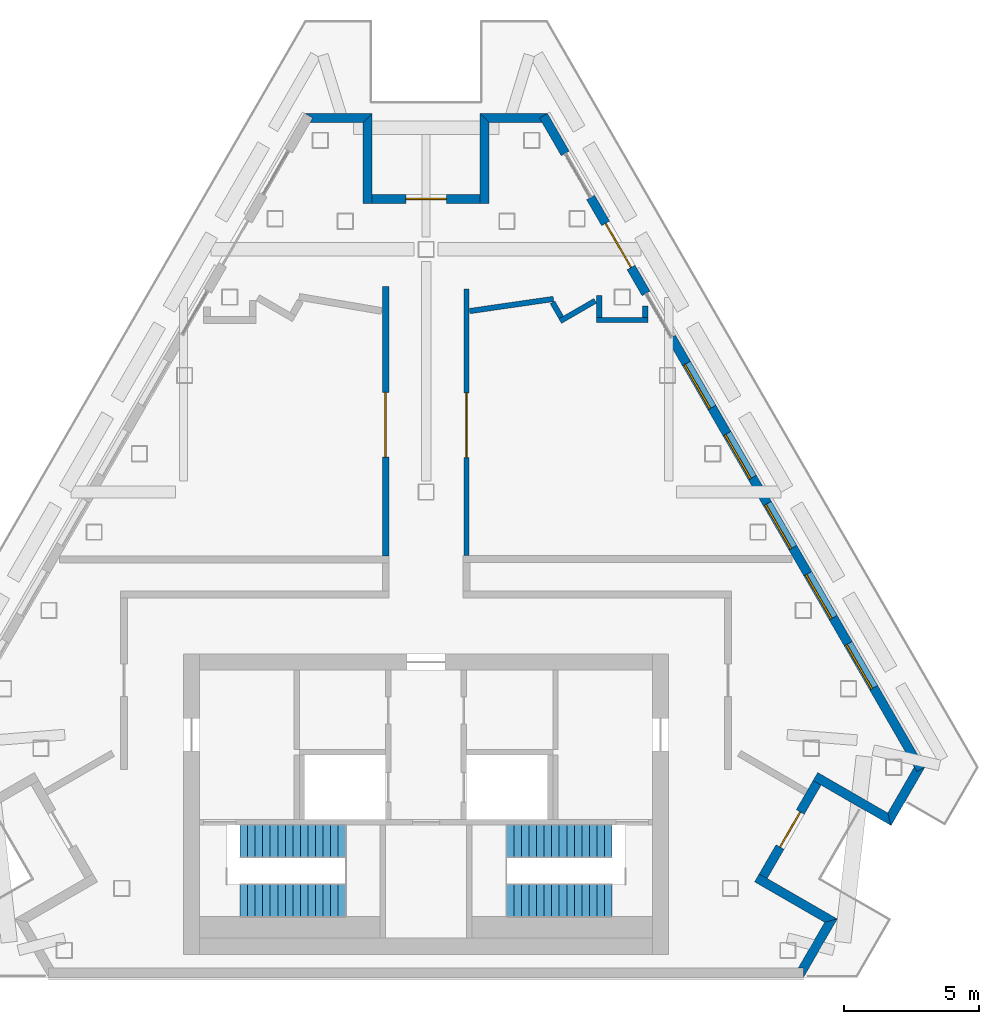
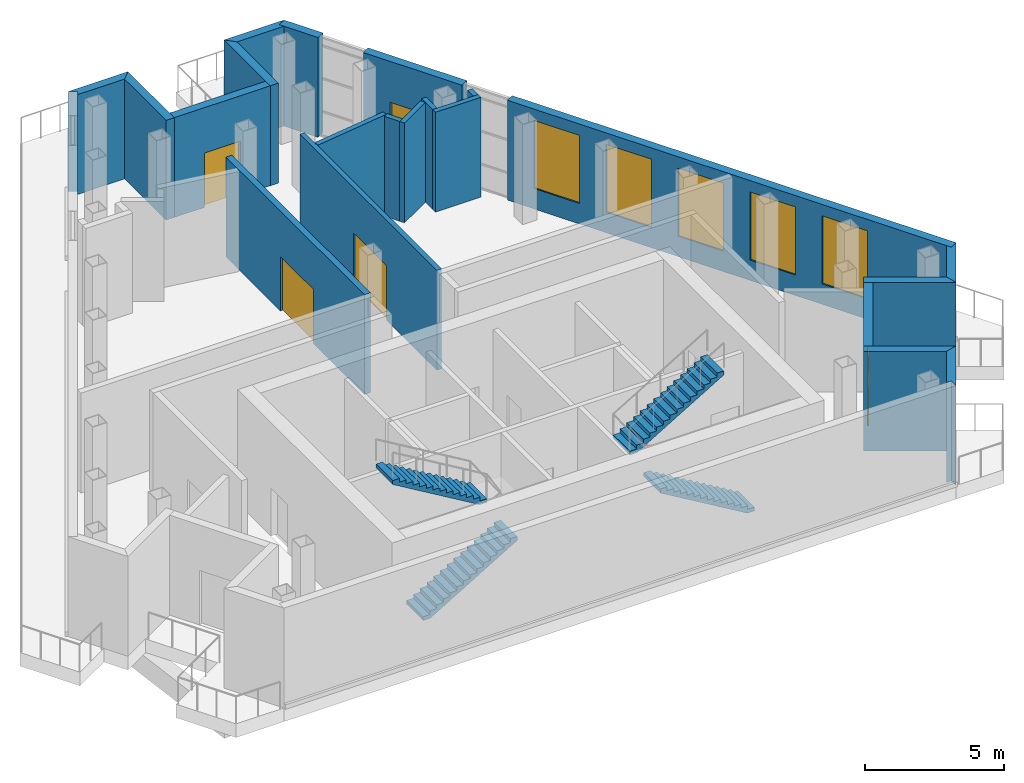
# One storey, part 5 of 7: 21 walls, 5 doors, 5 windows, 4 stair flights, 10 openings, 2 elements without a shape of their own.
"""IFC4 building model written with IfcOpenShell, lengths in metres."""

from ifc_helpers import new_model, si_unit, direction, frame, frame_2d, origin, place, context, subcontext, project, spatial, polyline, rectangle, outline, extrude, material, layer, layer_set, type_object, element, fill, aggregate, save


model = new_model("IFC4")

# Units and contexts
model_context = context("Model", 3, precision=1e-05, world=origin(), true_north=direction((0.0, 1.0)))
body_context = subcontext(model_context, "Body", "Model", "MODEL_VIEW")
ifc_project = project(units=[si_unit("LENGTHUNIT", "METRE"), si_unit("AREAUNIT", "SQUARE_METRE"), si_unit("VOLUMEUNIT", "CUBIC_METRE"), si_unit("PLANEANGLEUNIT", "RADIAN"), si_unit("MASSUNIT", "GRAM", prefix="KILO")], contexts=[model_context])

# Site, building, storey
site_placement = place(None, origin())
site = spatial("IfcSite", under=ifc_project, at=site_placement, CompositionType="ELEMENT")
building_placement = place(site_placement, origin())
building = spatial("IfcBuilding", under=site, at=building_placement, Name="Fogline Exchange Tower", CompositionType="ELEMENT")
storey_placement = place(building_placement, frame((0.0, 0.0, 350.10009765625)))
storey = spatial("IfcBuildingStorey", under=building, at=storey_placement, Name="L79", CompositionType="ELEMENT", Elevation=350.10009765625)

# Walls
ifc_material_1 = material(Name="Brick masonry", Category="masonry")
ifc_layer_1 = layer(ifc_material_1, 0.340087890625)
ifc_layer_set_1 = layer_set([ifc_layer_1], Name="FW1")
wall_type_1 = type_object("IfcWallType", Name="FW1", PredefinedType="SOLIDWALL", material=ifc_layer_set_1)
wall_1_placement = place(storey_placement, origin())
element("IfcWall", 1, at=wall_1_placement, inside=storey, type_object=wall_type_1, Name="Brick wall L79 SE-c1", PredefinedType="SOLIDWALL", context=body_context, shape_type="SweptSolid", body=[
    extrude(outline(polyline([(15.2509765625, 2.165771484375), (14.0, -0.001220703125), (13.99951171875, -0.0009765625), (13.99951171875, 0.33935546875), (13.802734375, 0.33935546875), (14.78515625, 2.041015625), (15.2509765625, 2.166015625), (15.2509765625, 2.165771484375)])), origin(), (0.0, 0.0, 1.0), 4.39990234375),
])
wall_2_placement = place(storey_placement, origin())
element("IfcWall", 2, at=wall_2_placement, inside=storey, type_object=wall_type_1, Name="Brick wall L79 SE-s1", PredefinedType="SOLIDWALL", context=body_context, shape_type="SweptSolid", body=[
    extrude(outline(polyline([(12.186767578125, 3.540283203125), (12.357177734375, 3.8359375), (12.652099609375, 3.66552734375), (15.251220703125, 2.1650390625), (15.251220703125, 2.164794921875), (14.785400390625, 2.0400390625), (12.186767578125, 3.540283203125)])), origin(), (0.0, 0.0, 1.0), 4.39990234375),
])

# Wall, opening, door
wall_3_placement = place(storey_placement, frame((12.504638671875, 3.75, 0.0), z_axis=(0.0, 0.0, 1.0), x_axis=(0.49999894854, 0.866026010844, 0.0)))
wall_3 = element("IfcWall", 3, at=wall_3_placement, inside=storey, type_object=wall_type_1, Name="Brick wall L79 SE-bk", PredefinedType="SOLIDWALL", context=body_context, shape_type="SweptSolid", body=[
    extrude(rectangle(XDim=4.0, YDim=0.340087890625, at=frame_2d((2.0, 0.0))), origin(), (0.0, 0.0, 1.0), 4.39990234375),
])
opening_1_placement = place(wall_3_placement, frame((1.25, 0.0, 0.0)))
opening_1 = element("IfcOpeningElement", 4, at=opening_1_placement, cuts=wall_3, Name="Opening L79-E081", PredefinedType="OPENING", context=body_context, shape_type="SweptSolid", body=[
    extrude(rectangle(XDim=1.5, YDim=2.39990234375, at=frame_2d((0.75, 1.199951171875))), frame((0.0, 0.18017578125, 0.0), z_axis=(0.0, -1.0, 0.0), x_axis=(1.0, 0.0, 0.0)), (0.0, 0.0, 1.0), 0.360107421875),
])
ifc_material_2 = material(Name="Aluminium and glass", Category="aluminium")
door_type_1 = type_object("IfcDoorType", Name="ED4", OperationType="SINGLE_SWING_LEFT", PredefinedType="DOOR", material=ifc_material_2)
door_1_placement = place(opening_1_placement, frame((1.5, 0.0, 0.0), z_axis=(0.0, 0.0, 1.0), x_axis=(-1.0, 0.0, 0.0)))
door_1 = element("IfcDoor", 5, at=door_1_placement, inside=storey, type_object=door_type_1, Name="Balcony door L79 SE", OperationType="DOUBLE_DOOR_SINGLE_SWING", OverallHeight=2.39990234375, OverallWidth=1.5, PredefinedType="DOOR", context=body_context, shape_type="SweptSolid", body=[
    extrude(rectangle(XDim=1.5, YDim=2.39990234375, at=frame_2d((0.75, 1.199951171875))), frame((0.0, 0.02490234375, 0.0), z_axis=(0.0, -1.0, 0.0), x_axis=(1.0, 0.0, 0.0)), (0.0, 0.0, 1.0), 0.050048828125),
])
fill(opening_1, door_1)

# Walls
wall_4_placement = place(storey_placement, origin())
element("IfcWall", 6, at=wall_4_placement, inside=storey, type_object=wall_type_1, Name="Brick wall L79 SE-s2", PredefinedType="SOLIDWALL", context=body_context, shape_type="SweptSolid", body=[
    extrude(outline(polyline([(17.25048828125, 5.628173828125), (14.651611328125, 7.128662109375), (14.356689453125, 7.298828125), (14.52734375, 7.594482421875), (17.1259765625, 6.093994140625), (17.250732421875, 5.62841796875), (17.25048828125, 5.628173828125)])), origin(), (0.0, 0.0, 1.0), 4.39990234375),
])
wall_5_placement = place(storey_placement, origin())
element("IfcWall", 7, at=wall_5_placement, inside=storey, type_object=wall_type_1, Name="Brick wall L79 SE-c2", PredefinedType="SOLIDWALL", context=body_context, shape_type="SweptSolid", body=[
    extrude(outline(polyline([(18.107421875, 7.79541015625), (18.205810546875, 7.625), (18.500732421875, 7.79541015625), (18.5009765625, 7.794921875), (17.25, 5.6279296875), (17.249755859375, 5.6279296875), (17.125, 6.09375), (18.107421875, 7.79541015625)])), origin(), (0.0, 0.0, 1.0), 4.39990234375),
])

# Wall, openings, windows
wall_6_placement = place(storey_placement, frame((18.352783203125, 7.709228515625, 0.0), z_axis=(0.0, 0.0, 1.0), x_axis=(-0.499999662836, 0.866025598446, 0.0)))
wall_6 = element("IfcWall", 8, at=wall_6_placement, inside=storey, type_object=wall_type_1, Name="Brick wall L79 E bay 1", PredefinedType="SOLIDWALL", context=body_context, shape_type="SweptSolid", body=[
    extrude(rectangle(XDim=18.5, YDim=0.340087890625, at=frame_2d((9.25, 0.0))), origin(), (0.0, 0.0, 1.0), 4.39990234375),
])
opening_2_placement = place(wall_6_placement, frame((3.5, 0.0, 0.89990234375)))
opening_2 = element("IfcOpeningElement", 9, at=opening_2_placement, cuts=wall_6, Name="Opening W6", PredefinedType="OPENING", context=body_context, shape_type="SweptSolid", body=[
    extrude(rectangle(XDim=1.885009765625, YDim=3.0, at=frame_2d((0.9423828125, 1.5))), frame((0.0, 0.18017578125, 0.0), z_axis=(0.0, -1.0, 0.0), x_axis=(1.0, 0.0, 0.0)), (0.0, 0.0, 1.0), 0.360107421875),
])
opening_3_placement = place(wall_6_placement, frame((6.5, 0.0, 0.89990234375)))
opening_3 = element("IfcOpeningElement", 10, at=opening_3_placement, cuts=wall_6, Name="Opening W6", PredefinedType="OPENING", context=body_context, shape_type="SweptSolid", body=[
    extrude(rectangle(XDim=1.885009765625, YDim=3.0, at=frame_2d((0.9423828125, 1.5))), frame((0.0, 0.18017578125, 0.0), z_axis=(0.0, -1.0, 0.0), x_axis=(1.0, 0.0, 0.0)), (0.0, 0.0, 1.0), 0.360107421875),
])
opening_4_placement = place(wall_6_placement, frame((9.5, 0.0, 0.89990234375)))
opening_4 = element("IfcOpeningElement", 11, at=opening_4_placement, cuts=wall_6, Name="Opening W6", PredefinedType="OPENING", context=body_context, shape_type="SweptSolid", body=[
    extrude(rectangle(XDim=1.885009765625, YDim=3.0, at=frame_2d((0.9423828125, 1.5))), frame((0.0, 0.18017578125, 0.0), z_axis=(0.0, -1.0, 0.0), x_axis=(1.0, 0.0, 0.0)), (0.0, 0.0, 1.0), 0.360107421875),
])
opening_5_placement = place(wall_6_placement, frame((12.5, 0.0, 0.89990234375)))
opening_5 = element("IfcOpeningElement", 12, at=opening_5_placement, cuts=wall_6, Name="Opening W6", PredefinedType="OPENING", context=body_context, shape_type="SweptSolid", body=[
    extrude(rectangle(XDim=1.885009765625, YDim=3.0, at=frame_2d((0.9423828125, 1.5))), frame((0.0, 0.18017578125, 0.0), z_axis=(0.0, -1.0, 0.0), x_axis=(1.0, 0.0, 0.0)), (0.0, 0.0, 1.0), 0.360107421875),
])
opening_6_placement = place(wall_6_placement, frame((15.5, 0.0, 0.89990234375)))
opening_6 = element("IfcOpeningElement", 13, at=opening_6_placement, cuts=wall_6, Name="Opening W6", PredefinedType="OPENING", context=body_context, shape_type="SweptSolid", body=[
    extrude(rectangle(XDim=1.885009765625, YDim=3.0, at=frame_2d((0.9423828125, 1.5))), frame((0.0, 0.18017578125, 0.0), z_axis=(0.0, -1.0, 0.0), x_axis=(1.0, 0.0, 0.0)), (0.0, 0.0, 1.0), 0.360107421875),
])
ifc_material_3 = material(Name="Aluminium louvre", Category="aluminium")
window_type = type_object("IfcWindowType", Name="W6", PartitioningType="SINGLE_PANEL", PredefinedType="WINDOW", material=ifc_material_3)
window_1_placement = place(opening_2_placement, origin())
window_1 = element("IfcWindow", 14, at=window_1_placement, inside=storey, type_object=window_type, Name="W6 W6", OverallHeight=3.0, OverallWidth=1.885009765625, PartitioningType="SINGLE_PANEL", PredefinedType="WINDOW", context=body_context, shape_type="SweptSolid", body=[
    extrude(rectangle(XDim=1.885009765625, YDim=3.0, at=frame_2d((0.9423828125, 1.5))), frame((0.0, 0.110107421875, 0.0), z_axis=(0.0, -1.0, 0.0), x_axis=(1.0, 0.0, 0.0)), (0.0, 0.0, 1.0), 0.06005859375),
])
fill(opening_2, window_1)
window_2_placement = place(opening_3_placement, origin())
window_2 = element("IfcWindow", 15, at=window_2_placement, inside=storey, type_object=window_type, Name="W6 W6", OverallHeight=3.0, OverallWidth=1.885009765625, PartitioningType="SINGLE_PANEL", PredefinedType="WINDOW", context=body_context, shape_type="SweptSolid", body=[
    extrude(rectangle(XDim=1.885009765625, YDim=3.0, at=frame_2d((0.9423828125, 1.5))), frame((0.0, 0.110107421875, 0.0), z_axis=(0.0, -1.0, 0.0), x_axis=(1.0, 0.0, 0.0)), (0.0, 0.0, 1.0), 0.06005859375),
])
fill(opening_3, window_2)
window_3_placement = place(opening_4_placement, origin())
window_3 = element("IfcWindow", 16, at=window_3_placement, inside=storey, type_object=window_type, Name="W6 W6", OverallHeight=3.0, OverallWidth=1.885009765625, PartitioningType="SINGLE_PANEL", PredefinedType="WINDOW", context=body_context, shape_type="SweptSolid", body=[
    extrude(rectangle(XDim=1.885009765625, YDim=3.0, at=frame_2d((0.9423828125, 1.5))), frame((0.0, 0.110107421875, 0.0), z_axis=(0.0, -1.0, 0.0), x_axis=(1.0, 0.0, 0.0)), (0.0, 0.0, 1.0), 0.06005859375),
])
fill(opening_4, window_3)
window_4_placement = place(opening_5_placement, origin())
window_4 = element("IfcWindow", 17, at=window_4_placement, inside=storey, type_object=window_type, Name="W6 W6", OverallHeight=3.0, OverallWidth=1.885009765625, PartitioningType="SINGLE_PANEL", PredefinedType="WINDOW", context=body_context, shape_type="SweptSolid", body=[
    extrude(rectangle(XDim=1.885009765625, YDim=3.0, at=frame_2d((0.9423828125, 1.5))), frame((0.0, 0.110107421875, 0.0), z_axis=(0.0, -1.0, 0.0), x_axis=(1.0, 0.0, 0.0)), (0.0, 0.0, 1.0), 0.06005859375),
])
fill(opening_5, window_4)
window_5_placement = place(opening_6_placement, origin())
window_5 = element("IfcWindow", 18, at=window_5_placement, inside=storey, type_object=window_type, Name="W6 W6", OverallHeight=3.0, OverallWidth=1.885009765625, PartitioningType="SINGLE_PANEL", PredefinedType="WINDOW", context=body_context, shape_type="SweptSolid", body=[
    extrude(rectangle(XDim=1.885009765625, YDim=3.0, at=frame_2d((0.9423828125, 1.5))), frame((0.0, 0.110107421875, 0.0), z_axis=(0.0, -1.0, 0.0), x_axis=(1.0, 0.0, 0.0)), (0.0, 0.0, 1.0), 0.06005859375),
])
fill(opening_6, window_5)

# Wall, opening, door
wall_7_placement = place(storey_placement, frame((8.160400390625, 25.36328125, 0.0), z_axis=(0.0, 0.0, 1.0), x_axis=(-0.500044296292, 0.865999827798, 0.0)))
wall_7 = element("IfcWall", 19, at=wall_7_placement, inside=storey, type_object=wall_type_1, Name="Brick wall L79 E bay 2", PredefinedType="SOLIDWALL", context=body_context, shape_type="SweptSolid", body=[
    extrude(rectangle(XDim=4.114990234375, YDim=0.340087890625, at=frame_2d((2.0576171875, 0.0))), origin(), (0.0, 0.0, 1.0), 4.39990234375),
])
opening_7_placement = place(wall_7_placement, frame((1.114990234375, 0.0, 0.0)))
opening_7 = element("IfcOpeningElement", 20, at=opening_7_placement, cuts=wall_7, Name="Opening L79-E111", PredefinedType="OPENING", context=body_context, shape_type="SweptSolid", body=[
    extrude(rectangle(XDim=1.885009765625, YDim=2.60009765625, at=frame_2d((0.9423828125, 1.300048828125))), frame((0.0, 0.18017578125, 0.0), z_axis=(0.0, -1.0, 0.0), x_axis=(1.0, 0.0, 0.0)), (0.0, 0.0, 1.0), 0.360107421875),
])
door_type_2 = type_object("IfcDoorType", Name="ED5", OperationType="SINGLE_SWING_LEFT", PredefinedType="DOOR", material=ifc_material_2)
door_2_placement = place(opening_7_placement, frame((1.885009765625, 0.0, 0.0), z_axis=(0.0, 0.0, 1.0), x_axis=(-1.0, 0.0, 0.0)))
door_2 = element("IfcDoor", 21, at=door_2_placement, inside=storey, type_object=door_type_2, Name="Terrace door L79 E", OperationType="DOUBLE_DOOR_SINGLE_SWING", OverallHeight=2.60009765625, OverallWidth=1.885009765625, PredefinedType="DOOR", context=body_context, shape_type="SweptSolid", body=[
    extrude(rectangle(XDim=1.885009765625, YDim=2.60009765625, at=frame_2d((0.9423828125, 1.300048828125))), frame((0.0, 0.02490234375, 0.0), z_axis=(0.0, -1.0, 0.0), x_axis=(1.0, 0.0, 0.0)), (0.0, 0.0, 1.0), 0.050048828125),
])
fill(opening_7, door_2)

# Walls
wall_8_placement = place(storey_placement, frame((5.160400390625, 30.559326171875, 0.0), z_axis=(0.0, 0.0, 1.0), x_axis=(-0.500040847832, 0.866001818993, 0.0)))
element("IfcWall", 22, at=wall_8_placement, inside=storey, type_object=wall_type_1, Name="Brick wall L79 E bay 3", PredefinedType="SOLIDWALL", context=body_context, shape_type="SweptSolid", body=[
    extrude(rectangle(XDim=1.614990234375, YDim=0.340087890625, at=frame_2d((0.8076171875, 0.0))), origin(), (0.0, 0.0, 1.0), 4.39990234375),
])
wall_9_placement = place(storey_placement, origin())
element("IfcWall", 23, at=wall_9_placement, inside=storey, type_object=wall_type_1, Name="Brick wall L79 N-c1", PredefinedType="SOLIDWALL", context=body_context, shape_type="SweptSolid", body=[
    extrude(outline(polyline([(1.9990234375, 32.04345703125), (4.5009765625, 32.04345703125), (4.501220703125, 32.04296875), (4.206298828125, 31.872802734375), (4.3046875, 31.702392578125), (2.33984375, 31.702392578125), (1.998779296875, 32.043212890625), (1.9990234375, 32.04345703125)])), origin(), (0.0, 0.0, 1.0), 4.39990234375),
])
wall_10_placement = place(storey_placement, origin())
element("IfcWall", 24, at=wall_10_placement, inside=storey, type_object=wall_type_1, Name="Brick wall L79 N-s1", PredefinedType="SOLIDWALL", context=body_context, shape_type="SweptSolid", body=[
    extrude(outline(polyline([(2.340576171875, 28.702392578125), (1.99951171875, 28.702392578125), (1.99951171875, 32.0439453125), (1.999755859375, 32.044189453125), (2.340576171875, 31.703125), (2.340576171875, 28.702392578125)])), origin(), (0.0, 0.0, 1.0), 4.39990234375),
])

# Wall, opening, door
wall_11_placement = place(storey_placement, frame((2.0, 28.873046875, 0.0), z_axis=(0.0, 0.0, 1.0), x_axis=(-1.0, 0.0, 0.0)))
wall_11 = element("IfcWall", 25, at=wall_11_placement, inside=storey, type_object=wall_type_1, Name="Brick wall L79 N-bk", PredefinedType="SOLIDWALL", context=body_context, shape_type="SweptSolid", body=[
    extrude(rectangle(XDim=4.0, YDim=0.340087890625, at=frame_2d((2.0, 0.0))), origin(), (0.0, 0.0, 1.0), 4.39990234375),
])
opening_8_placement = place(wall_11_placement, frame((1.25, 0.0, 0.0)))
opening_8 = element("IfcOpeningElement", 26, at=opening_8_placement, cuts=wall_11, Name="Opening L79-E141", PredefinedType="OPENING", context=body_context, shape_type="SweptSolid", body=[
    extrude(rectangle(XDim=1.5, YDim=2.39990234375, at=frame_2d((0.75, 1.199951171875))), frame((0.0, 0.18017578125, 0.0), z_axis=(0.0, -1.0, 0.0), x_axis=(1.0, 0.0, 0.0)), (0.0, 0.0, 1.0), 0.360107421875),
])
door_3_placement = place(opening_8_placement, frame((1.5, 0.0, 0.0), z_axis=(0.0, 0.0, 1.0), x_axis=(-1.0, 0.0, 0.0)))
door_3 = element("IfcDoor", 27, at=door_3_placement, inside=storey, type_object=door_type_1, Name="Balcony door L79 N", OperationType="DOUBLE_DOOR_SINGLE_SWING", OverallHeight=2.39990234375, OverallWidth=1.5, PredefinedType="DOOR", context=body_context, shape_type="SweptSolid", body=[
    extrude(rectangle(XDim=1.5, YDim=2.39990234375, at=frame_2d((0.75, 1.199951171875))), frame((0.0, 0.02490234375, 0.0), z_axis=(0.0, -1.0, 0.0), x_axis=(1.0, 0.0, 0.0)), (0.0, 0.0, 1.0), 0.050048828125),
])
fill(opening_8, door_3)

# Walls
wall_12_placement = place(storey_placement, origin())
element("IfcWall", 28, at=wall_12_placement, inside=storey, type_object=wall_type_1, Name="Brick wall L79 N-s2", PredefinedType="SOLIDWALL", context=body_context, shape_type="SweptSolid", body=[
    extrude(outline(polyline([(-1.99951171875, 32.0439453125), (-1.99951171875, 28.702392578125), (-2.340576171875, 28.702392578125), (-2.340576171875, 31.703125), (-1.999755859375, 32.044189453125), (-1.99951171875, 32.0439453125)])), origin(), (0.0, 0.0, 1.0), 4.39990234375),
])
wall_13_placement = place(storey_placement, origin())
element("IfcWall", 29, at=wall_13_placement, inside=storey, type_object=wall_type_1, Name="Brick wall L79 N-c2", PredefinedType="SOLIDWALL", context=body_context, shape_type="SweptSolid", body=[
    extrude(outline(polyline([(-4.3046875, 31.702392578125), (-4.206298828125, 31.872802734375), (-4.501220703125, 32.04296875), (-4.5009765625, 32.04345703125), (-1.9990234375, 32.04345703125), (-1.998779296875, 32.043212890625), (-2.33984375, 31.702392578125), (-4.3046875, 31.702392578125)])), origin(), (0.0, 0.0, 1.0), 4.39990234375),
])

# Wall, opening, door
ifc_material_4 = material(Name="Concrete block masonry", Category="masonry")
ifc_layer_2 = layer(ifc_material_4, 0.199951171875)
ifc_layer_set_2 = layer_set([ifc_layer_2], Name="PP2")
wall_type_2 = type_object("IfcWallType", Name="PP2", PredefinedType="PARTITIONING", material=ifc_layer_set_2)
wall_14_placement = place(storey_placement, frame((1.5, 25.53564453125, 0.0), z_axis=(0.0, 0.0, 1.0), x_axis=(0.0, -1.0, 0.0)))
wall_14 = element("IfcWall", 30, at=wall_14_placement, inside=storey, type_object=wall_type_2, Name="PP2 partition", PredefinedType="PARTITIONING", context=body_context, shape_type="SweptSolid", body=[
    extrude(rectangle(XDim=9.89453125, YDim=0.199951171875, at=frame_2d((4.947265625, 0.0))), origin(), (0.0, 0.0, 1.0), 4.39990234375),
])
opening_9_placement = place(wall_14_placement, frame((3.85986328125, 0.0, 0.0)))
opening_9 = element("IfcOpeningElement", 31, at=opening_9_placement, cuts=wall_14, Name="Opening L79-D004", PredefinedType="OPENING", context=body_context, shape_type="SweptSolid", body=[
    extrude(rectangle(XDim=2.39990234375, YDim=2.39990234375, at=frame_2d((1.199951171875, 1.199951171875))), frame((0.0, 0.10986328125, 0.0), z_axis=(0.0, -1.0, 0.0), x_axis=(1.0, 0.0, 0.0)), (0.0, 0.0, 1.0), 0.219970703125),
])
ifc_material_5 = material(Name="Steel Q235B", Category="steel")
door_type_3 = type_object("IfcDoorType", Name="PD9", OperationType="DOUBLE_DOOR_SINGLE_SWING", PredefinedType="DOOR", material=ifc_material_5)
door_4_placement = place(opening_9_placement, origin())
door_4 = element("IfcDoor", 32, at=door_4_placement, inside=storey, type_object=door_type_3, Name="L79-D004", OperationType="DOUBLE_DOOR_SINGLE_SWING", OverallHeight=2.39990234375, OverallWidth=2.39990234375, PredefinedType="DOOR", context=body_context, shape_type="SweptSolid", body=[
    extrude(rectangle(XDim=2.39990234375, YDim=2.39990234375, at=frame_2d((1.199951171875, 1.199951171875))), frame((0.0, 0.02490234375, 0.0), z_axis=(0.0, -1.0, 0.0), x_axis=(1.0, 0.0, 0.0)), (0.0, 0.0, 1.0), 0.050048828125),
])
fill(opening_9, door_4)

# Walls
wall_15_placement = place(storey_placement, frame((4.72412109375, 25.160400390625, 0.0), z_axis=(0.0, 0.0, 1.0), x_axis=(-0.989677370755, -0.143313299509, 0.0)))
element("IfcWall", 33, at=wall_15_placement, inside=storey, type_object=wall_type_2, Name="PP2 partition", PredefinedType="PARTITIONING", context=body_context, shape_type="SweptSolid", body=[
    extrude(rectangle(XDim=3.14306640625, YDim=0.199951171875, at=frame_2d((1.571533203125, 0.0))), origin(), (0.0, 0.0, 1.0), 4.39990234375),
])
wall_16_placement = place(storey_placement, frame((8.228271484375, 24.380859375, 0.0), z_axis=(0.0, 0.0, 1.0), x_axis=(-1.0, 0.0, 0.0)))
element("IfcWall", 34, at=wall_16_placement, inside=storey, type_object=wall_type_2, Name="PP2 partition", PredefinedType="PARTITIONING", context=body_context, shape_type="SweptSolid", body=[
    extrude(rectangle(XDim=1.89990234375, YDim=0.199951171875, at=frame_2d((0.949951171875, 0.0))), origin(), (0.0, 0.0, 1.0), 4.39990234375),
])
wall_17_placement = place(storey_placement, frame((6.27587890625, 25.09228515625, 0.0), z_axis=(0.0, 0.0, 1.0), x_axis=(-0.865974529972, -0.500088105676, 0.0)))
element("IfcWall", 35, at=wall_17_placement, inside=storey, type_object=wall_type_2, Name="PP2 partition", PredefinedType="PARTITIONING", context=body_context, shape_type="SweptSolid", body=[
    extrude(rectangle(XDim=1.502685546875, YDim=0.199951171875, at=frame_2d((0.75146484375, 0.0))), origin(), (0.0, 0.0, 1.0), 4.39990234375),
])
wall_18_placement = place(storey_placement, frame((6.42822265625, 24.480712890625, 0.0), z_axis=(0.0, 0.0, 1.0), x_axis=(0.0, 1.0, 0.0)))
element("IfcWall", 36, at=wall_18_placement, inside=storey, type_object=wall_type_2, Name="PP2 partition", PredefinedType="PARTITIONING", context=body_context, shape_type="SweptSolid", body=[
    extrude(rectangle(XDim=0.799560546875, YDim=0.199951171875, at=frame_2d((0.39990234375, 0.0))), origin(), (0.0, 0.0, 1.0), 4.39990234375),
])
wall_19_placement = place(storey_placement, frame((5.011474609375, 24.47705078125, 0.0), z_axis=(0.0, 0.0, 1.0), x_axis=(-0.50006233641, 0.86598941085, 0.0)))
element("IfcWall", 37, at=wall_19_placement, inside=storey, type_object=wall_type_2, Name="PP2 partition", PredefinedType="PARTITIONING", context=body_context, shape_type="SweptSolid", body=[
    extrude(rectangle(XDim=0.642578125, YDim=0.199951171875, at=frame_2d((0.3212890625, 0.0))), origin(), (0.0, 0.0, 1.0), 4.39990234375),
])
wall_20_placement = place(storey_placement, frame((8.12841796875, 24.9052734375, 0.0), z_axis=(0.0, 0.0, 1.0), x_axis=(0.0, -1.0, 0.0)))
element("IfcWall", 38, at=wall_20_placement, inside=storey, type_object=wall_type_2, Name="PP2 partition", PredefinedType="PARTITIONING", context=body_context, shape_type="SweptSolid", body=[
    extrude(rectangle(XDim=0.42431640625, YDim=0.199951171875, at=frame_2d((0.212158203125, 0.0))), origin(), (0.0, 0.0, 1.0), 4.39990234375),
])

# Wall, opening, door
ifc_material_6 = material(Name="Concrete C40", Category="concrete")
ifc_layer_3 = layer(ifc_material_6, 0.25)
ifc_layer_set_3 = layer_set([ifc_layer_3], Name="PP3")
wall_type_3 = type_object("IfcWallType", Name="PP3", PredefinedType="SOLIDWALL", material=ifc_layer_set_3)
wall_21_placement = place(storey_placement, frame((-1.5, 15.6220703125, 0.0), z_axis=(0.0, 0.0, 1.0), x_axis=(0.0, 1.0, 0.0)))
wall_21 = element("IfcWall", 39, at=wall_21_placement, inside=storey, type_object=wall_type_3, Name="PP3 partition", PredefinedType="SOLIDWALL", context=body_context, shape_type="SweptSolid", body=[
    extrude(rectangle(XDim=10.001220703125, YDim=0.25, at=frame_2d((5.00048828125, 0.0))), origin(), (0.0, 0.0, 1.0), 4.39990234375),
])
opening_10_placement = place(wall_21_placement, frame((3.67578125, 0.0, 0.0)))
opening_10 = element("IfcOpeningElement", 40, at=opening_10_placement, cuts=wall_21, Name="Opening L79-D002", PredefinedType="OPENING", context=body_context, shape_type="SweptSolid", body=[
    extrude(rectangle(XDim=2.39990234375, YDim=2.39990234375, at=frame_2d((1.199951171875, 1.199951171875))), frame((0.0, 0.135009765625, 0.0), z_axis=(0.0, -1.0, 0.0), x_axis=(1.0, 0.0, 0.0)), (0.0, 0.0, 1.0), 0.27001953125),
])
door_5_placement = place(opening_10_placement, origin())
door_5 = element("IfcDoor", 41, at=door_5_placement, inside=storey, type_object=door_type_3, Name="L79-D002", OperationType="DOUBLE_DOOR_SINGLE_SWING", OverallHeight=2.39990234375, OverallWidth=2.39990234375, PredefinedType="DOOR", context=body_context, shape_type="SweptSolid", body=[
    extrude(rectangle(XDim=2.39990234375, YDim=2.39990234375, at=frame_2d((1.199951171875, 1.199951171875))), frame((0.0, 0.02490234375, 0.0), z_axis=(0.0, -1.0, 0.0), x_axis=(1.0, 0.0, 0.0)), (0.0, 0.0, 1.0), 0.050048828125),
])
fill(opening_10, door_5)

# Stair, stair flights
stair_type = type_object("IfcStairType", Name="STR30-1667W1200", PredefinedType="HALF_TURN_STAIR", material=ifc_material_6)
stair_1_placement = place(storey_placement, origin())
stair_1 = element("IfcStair", 42, at=stair_1_placement, inside=storey, type_object=stair_type, Name="Stair CS1", PredefinedType="HALF_TURN_STAIR")
stair_flight_type = type_object("IfcStairFlightType", Name="SF15-1667W1200", PredefinedType="STRAIGHT", material=ifc_material_6)
stair_flight_1_placement = place(storey_placement, frame((-6.89990234375, 2.85009765625, 0.0), z_axis=(0.0, 0.0, 1.0), x_axis=(1.0, 0.0, 0.0)))
stair_flight_1 = element("IfcStairFlight", 43, at=stair_flight_1_placement, type_object=stair_flight_type, Name="CS1 flight 1", NumberOfRisers=15, NumberOfTreads=14, PredefinedType="STRAIGHT", RiserHeight=0.166666667, TreadLength=0.28, context=body_context, shape_type="SweptSolid", body=[
    extrude(outline(polyline([(0.0, 0.0), (0.0, 0.166748046875), (0.280029296875, 0.166748046875), (0.280029296875, 0.333251953125), (0.56005859375, 0.333251953125), (0.56005859375, 0.5), (0.840087890625, 0.5), (0.840087890625, 0.666748046875), (1.1201171875, 0.666748046875), (1.1201171875, 0.833251953125), (1.39990234375, 0.833251953125), (1.39990234375, 1.0), (1.679931640625, 1.0), (1.679931640625, 1.166748046875), (1.9599609375, 1.166748046875), (1.9599609375, 1.333251953125), (2.239990234375, 1.333251953125), (2.239990234375, 1.5), (2.52001953125, 1.5), (2.52001953125, 1.666748046875), (2.800048828125, 1.666748046875), (2.800048828125, 1.833251953125), (3.080078125, 1.833251953125), (3.080078125, 2.0), (3.360107421875, 2.0), (3.360107421875, 2.166748046875), (3.639892578125, 2.166748046875), (3.639892578125, 2.333251953125), (3.919921875, 2.333251953125), (3.919921875, 2.5), (3.919921875, 2.158935546875), (0.29296875, 0.0), (0.0, 0.0)])), frame((0.0, 0.60009765625, 0.0), z_axis=(0.0, -1.0, 0.0), x_axis=(1.0, 0.0, 0.0)), (0.0, 0.0, 1.0), 1.199951171875),
])
stair_flight_2_placement = place(storey_placement, frame((-2.97998046875, 5.050048828125, 2.5), z_axis=(0.0, 0.0, 1.0), x_axis=(-1.0, 0.0, 0.0)))
stair_flight_2 = element("IfcStairFlight", 44, at=stair_flight_2_placement, type_object=stair_flight_type, Name="CS1 flight 2", NumberOfRisers=15, NumberOfTreads=14, PredefinedType="STRAIGHT", RiserHeight=0.166666667, TreadLength=0.28, context=body_context, shape_type="SweptSolid", body=[
    extrude(outline(polyline([(0.0, 0.0), (0.0, 0.166748046875), (0.280029296875, 0.166748046875), (0.280029296875, 0.333251953125), (0.56005859375, 0.333251953125), (0.56005859375, 0.5), (0.840087890625, 0.5), (0.840087890625, 0.666748046875), (1.1201171875, 0.666748046875), (1.1201171875, 0.833251953125), (1.39990234375, 0.833251953125), (1.39990234375, 1.0), (1.679931640625, 1.0), (1.679931640625, 1.166748046875), (1.9599609375, 1.166748046875), (1.9599609375, 1.333251953125), (2.239990234375, 1.333251953125), (2.239990234375, 1.5), (2.52001953125, 1.5), (2.52001953125, 1.666748046875), (2.800048828125, 1.666748046875), (2.800048828125, 1.833251953125), (3.080078125, 1.833251953125), (3.080078125, 2.0), (3.360107421875, 2.0), (3.360107421875, 2.166748046875), (3.639892578125, 2.166748046875), (3.639892578125, 2.333251953125), (3.919921875, 2.333251953125), (3.919921875, 2.5), (3.919921875, 2.158935546875), (0.29296875, 0.0), (0.0, 0.0)])), frame((0.0, 0.60009765625, 0.0), z_axis=(0.0, -1.0, 0.0), x_axis=(1.0, 0.0, 0.0)), (0.0, 0.0, 1.0), 1.199951171875),
])
aggregate(stair_1, [stair_flight_1, stair_flight_2])

stair_2_placement = place(storey_placement, origin())
stair_2 = element("IfcStair", 45, at=stair_2_placement, inside=storey, type_object=stair_type, Name="Stair CS2", PredefinedType="HALF_TURN_STAIR")
stair_flight_3_placement = place(storey_placement, frame((6.89990234375, 2.85009765625, 0.0), z_axis=(0.0, 0.0, 1.0), x_axis=(-1.0, 0.0, 0.0)))
stair_flight_3 = element("IfcStairFlight", 46, at=stair_flight_3_placement, type_object=stair_flight_type, Name="CS2 flight 1", NumberOfRisers=15, NumberOfTreads=14, PredefinedType="STRAIGHT", RiserHeight=0.166666667, TreadLength=0.28, context=body_context, shape_type="SweptSolid", body=[
    extrude(outline(polyline([(0.0, 0.0), (0.0, 0.166748046875), (0.280029296875, 0.166748046875), (0.280029296875, 0.333251953125), (0.56005859375, 0.333251953125), (0.56005859375, 0.5), (0.840087890625, 0.5), (0.840087890625, 0.666748046875), (1.1201171875, 0.666748046875), (1.1201171875, 0.833251953125), (1.39990234375, 0.833251953125), (1.39990234375, 1.0), (1.679931640625, 1.0), (1.679931640625, 1.166748046875), (1.9599609375, 1.166748046875), (1.9599609375, 1.333251953125), (2.239990234375, 1.333251953125), (2.239990234375, 1.5), (2.52001953125, 1.5), (2.52001953125, 1.666748046875), (2.800048828125, 1.666748046875), (2.800048828125, 1.833251953125), (3.080078125, 1.833251953125), (3.080078125, 2.0), (3.360107421875, 2.0), (3.360107421875, 2.166748046875), (3.639892578125, 2.166748046875), (3.639892578125, 2.333251953125), (3.919921875, 2.333251953125), (3.919921875, 2.5), (3.919921875, 2.158935546875), (0.29296875, 0.0), (0.0, 0.0)])), frame((0.0, 0.60009765625, 0.0), z_axis=(0.0, -1.0, 0.0), x_axis=(1.0, 0.0, 0.0)), (0.0, 0.0, 1.0), 1.199951171875),
])
stair_flight_4_placement = place(storey_placement, frame((2.97998046875, 5.050048828125, 2.5), z_axis=(0.0, 0.0, 1.0), x_axis=(1.0, 0.0, 0.0)))
stair_flight_4 = element("IfcStairFlight", 47, at=stair_flight_4_placement, type_object=stair_flight_type, Name="CS2 flight 2", NumberOfRisers=15, NumberOfTreads=14, PredefinedType="STRAIGHT", RiserHeight=0.166666667, TreadLength=0.28, context=body_context, shape_type="SweptSolid", body=[
    extrude(outline(polyline([(0.0, 0.0), (0.0, 0.166748046875), (0.280029296875, 0.166748046875), (0.280029296875, 0.333251953125), (0.56005859375, 0.333251953125), (0.56005859375, 0.5), (0.840087890625, 0.5), (0.840087890625, 0.666748046875), (1.1201171875, 0.666748046875), (1.1201171875, 0.833251953125), (1.39990234375, 0.833251953125), (1.39990234375, 1.0), (1.679931640625, 1.0), (1.679931640625, 1.166748046875), (1.9599609375, 1.166748046875), (1.9599609375, 1.333251953125), (2.239990234375, 1.333251953125), (2.239990234375, 1.5), (2.52001953125, 1.5), (2.52001953125, 1.666748046875), (2.800048828125, 1.666748046875), (2.800048828125, 1.833251953125), (3.080078125, 1.833251953125), (3.080078125, 2.0), (3.360107421875, 2.0), (3.360107421875, 2.166748046875), (3.639892578125, 2.166748046875), (3.639892578125, 2.333251953125), (3.919921875, 2.333251953125), (3.919921875, 2.5), (3.919921875, 2.158935546875), (0.29296875, 0.0), (0.0, 0.0)])), frame((0.0, 0.60009765625, 0.0), z_axis=(0.0, -1.0, 0.0), x_axis=(1.0, 0.0, 0.0)), (0.0, 0.0, 1.0), 1.199951171875),
])
aggregate(stair_2, [stair_flight_3, stair_flight_4])

save(model, "model.ifc")
